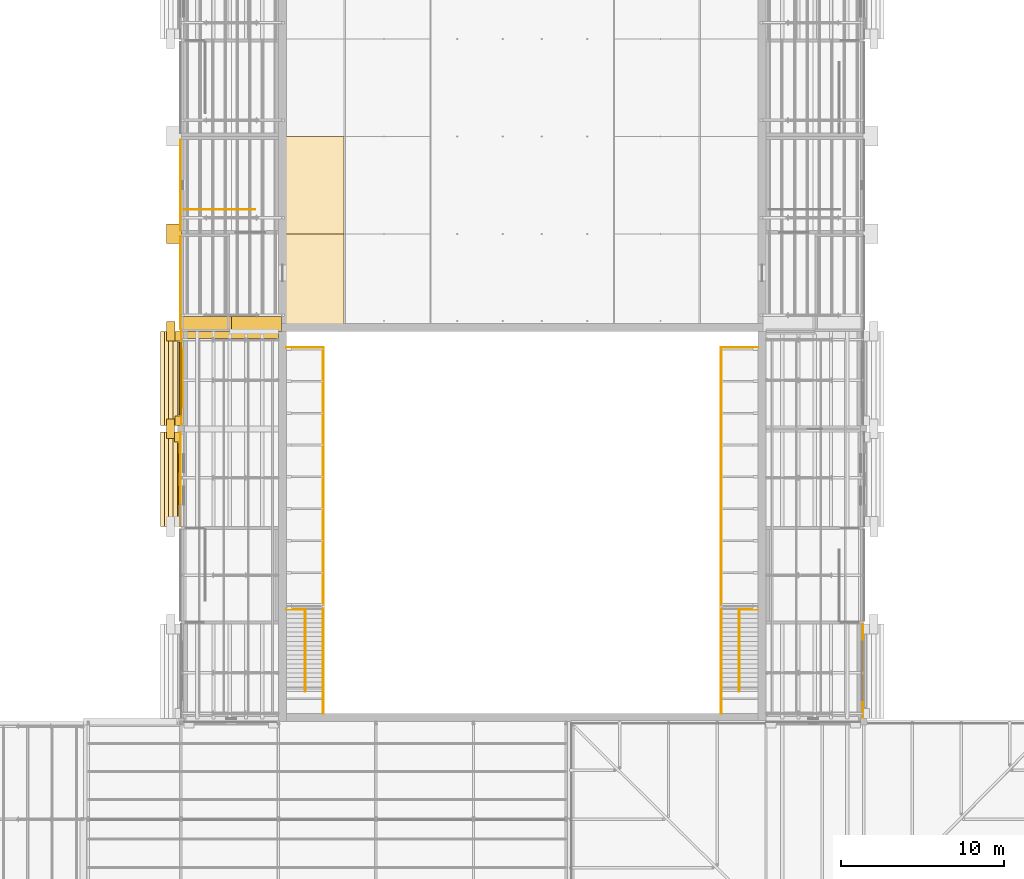
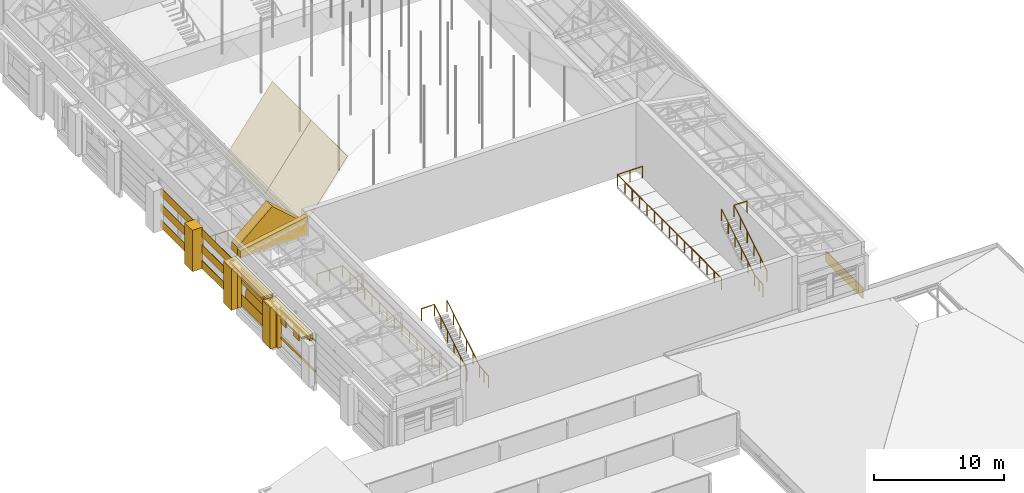
# One storey, part 108 of 118: 38 coverings, 7 railings.
"""IFC4 building model written with IfcOpenShell, lengths in metres."""

import ifcopenshell
import ifcopenshell.guid

model = None  # the IFC model being written
_history = None  # IfcOwnerHistory: only IFC2X3 demands one
_inside = {}  # id of a spatial element -> (the spatial element, [elements in it])
_under = {}  # id of a project, library or spatial element -> (it, [spatial elements below it])
_declared = {}  # id of a project -> (the project, [libraries it declares])
_typed = {}  # id of a type object -> (the type object, [elements of that type])
_made_of = {}  # id of a material, layer set ... -> (it, [elements and type objects made of it])


def new_model(schema):
    """Start an empty IFC model of exactly this schema.

    Asked for "IFC4X3", IfcOpenShell would pick the latest addendum, in which some entities
    have other attributes; the version numbers below select the first issue.
    IFC2X3 requires an IfcOwnerHistory on every rooted entity: one is made here for all.
    """
    global model, _history
    if schema == "IFC4X3":
        model = ifcopenshell.file(schema_version=(4, 3, 0, 0))
    else:
        model = ifcopenshell.file(schema=schema)
    _inside.clear()
    _under.clear()
    _declared.clear()
    _typed.clear()
    _made_of.clear()
    _history = None
    if model.schema == "IFC2X3":
        org = make("IfcOrganization", Name="unknown")
        user = make(
            "IfcPersonAndOrganization",
            ThePerson=make("IfcPerson", FamilyName="unknown"),
            TheOrganization=org,
        )
        app = make(
            "IfcApplication",
            ApplicationDeveloper=org,
            Version="unknown",
            ApplicationFullName="unknown",
            ApplicationIdentifier="unknown",
        )
        _history = make(
            "IfcOwnerHistory",
            OwningUser=user,
            OwningApplication=app,
            ChangeAction="ADDED",
            CreationDate=0,
        )
    return model


def make(cls, **values):
    """One entity of the class cls with the attributes given. An attribute that is None is left unset."""
    return model.create_entity(
        cls, **{name: value for name, value in values.items() if value is not None}
    )


def rooted(cls, **values):
    """An entity with a GlobalId (a new one), such as an element, a storey or a relation."""
    return make(cls, GlobalId=ifcopenshell.guid.new(), OwnerHistory=_history, **values)


def si_unit(unit_type, name, prefix=None):
    """IfcSIUnit, for example si_unit("LENGTHUNIT", "METRE", prefix="MILLI")."""
    return make("IfcSIUnit", UnitType=unit_type, Prefix=prefix, Name=name)


def assignment(units):
    """IfcUnitAssignment: the units of a project."""
    return None if units is None else make("IfcUnitAssignment", Units=units)


def point(xyz):
    """IfcCartesianPoint."""
    return None if xyz is None else make("IfcCartesianPoint", Coordinates=xyz)


def direction(xyz):
    """IfcDirection."""
    return None if xyz is None else make("IfcDirection", DirectionRatios=xyz)


def frame(location, z_axis=None, x_axis=None):
    """IfcAxis2Placement3D, a coordinate frame: its origin and axes. An axis left out is left unset."""
    return make(
        "IfcAxis2Placement3D",
        Location=point(location),
        Axis=direction(z_axis),
        RefDirection=direction(x_axis),
    )


def frame_2d(location, x_axis=None):
    """IfcAxis2Placement2D, a coordinate frame in the plane: its origin and x axis."""
    return make(
        "IfcAxis2Placement2D", Location=point(location), RefDirection=direction(x_axis)
    )


def origin():
    """The frame at (0, 0, 0) with its axes left unset."""
    return frame((0.0, 0.0, 0.0))


def origin_2d():
    """The frame at (0, 0) in the plane with its x axis left unset."""
    return frame_2d((0.0, 0.0))


def place(relative_to, where):
    """IfcLocalPlacement: puts the frame where relative to a parent placement (None: the world)."""
    return make(
        "IfcLocalPlacement", PlacementRelTo=relative_to, RelativePlacement=where
    )


def context(
    kind, dimensions, precision=None, world=None, true_north=None, identifier=None
):
    """IfcGeometricRepresentationContext, for example the 3D "Model" context."""
    return make(
        "IfcGeometricRepresentationContext",
        ContextIdentifier=identifier,
        ContextType=kind,
        CoordinateSpaceDimension=dimensions,
        Precision=precision,
        WorldCoordinateSystem=world,
        TrueNorth=true_north,
    )


def subcontext(parent, identifier, kind, view, scale=None):
    """IfcGeometricRepresentationSubContext, for example "Body" below "Model"."""
    return make(
        "IfcGeometricRepresentationSubContext",
        ContextIdentifier=identifier,
        ContextType=kind,
        ParentContext=parent,
        TargetScale=scale,
        TargetView=view,
    )


def project(units=None, contexts=None):
    """IfcProject with its units and contexts."""
    return rooted(
        "IfcProject",
        Name="project",
        RepresentationContexts=contexts,
        UnitsInContext=assignment(units),
    )


def spatial(cls, under=None, at=None, **own):
    """A site, building, storey or space (cls), placed at a placement, below another one or the project."""
    s = rooted(cls, ObjectPlacement=at, **own)
    if under is not None:
        _under.setdefault(under.id(), (under, []))[1].append(s)
    return s


def polyline(points):
    """IfcPolyline through the points."""
    return make("IfcPolyline", Points=[point(p) for p in points])


def profile(cls, at=None, kind="AREA", **sizes):
    """A parametric profile (cls). Its sizes go by their IFC names, for example OverallWidth=200.0."""
    return make(cls, ProfileType=kind, Position=at, **sizes)


def rectangle(**sizes):
    """IfcRectangleProfileDef."""
    return profile("IfcRectangleProfileDef", **sizes)


def circle(**sizes):
    """IfcCircleProfileDef."""
    return profile("IfcCircleProfileDef", **sizes)


def outline(outer, holes=None, kind="AREA"):
    """IfcArbitraryClosedProfileDef: a profile drawn as a closed curve; with holes, ...WithVoids."""
    if holes is None:
        return make("IfcArbitraryClosedProfileDef", ProfileType=kind, OuterCurve=outer)
    return make(
        "IfcArbitraryProfileDefWithVoids",
        ProfileType=kind,
        OuterCurve=outer,
        InnerCurves=holes,
    )


def extrude(swept, where, along, depth):
    """IfcExtrudedAreaSolid: the profile swept, set in the frame where, extruded along a direction by depth."""
    return make(
        "IfcExtrudedAreaSolid",
        SweptArea=swept,
        Position=where,
        ExtrudedDirection=direction(along),
        Depth=depth,
    )


def shape(context_of_items, identifier, shape_type, items):
    """IfcShapeRepresentation: the items that make up one representation, for example the "Body"."""
    return make(
        "IfcShapeRepresentation",
        ContextOfItems=context_of_items,
        RepresentationIdentifier=identifier,
        RepresentationType=shape_type,
        Items=items,
    )


def material(Name=None, Category=None):
    """IfcMaterial."""
    return make("IfcMaterial", Name=Name, Category=Category)


def layer(
    of_material, thickness, ventilated=None, Name=None, Category=None, Priority=None
):
    """IfcMaterialLayer: one layer of a wall or slab, of a material (None: an air gap)."""
    return make(
        "IfcMaterialLayer",
        Material=of_material,
        LayerThickness=thickness,
        IsVentilated=ventilated,
        Name=Name,
        Category=Category,
        Priority=Priority,
    )


def layer_set(layers, Name=None):
    """IfcMaterialLayerSet."""
    return make("IfcMaterialLayerSet", MaterialLayers=layers, LayerSetName=Name)


def made_of(thing, what):
    """Note that an element or type object is made of a material, layer set ...; save() writes the relation."""
    if what is not None:
        _made_of.setdefault(what.id(), (what, []))[1].append(thing)
    return thing


def type_object(cls, material=None, **own):
    """A type object (cls), such as IfcWallType, which elements share."""
    return made_of(rooted(cls, **own), material)


def element(
    cls,
    number,
    at=None,
    inside=None,
    cuts=None,
    type_object=None,
    material=None,
    context=None,
    identifier="Body",
    shape_type=None,
    held_by="IfcProductDefinitionShape",
    body=None,
    shapes=None,
    **own,
):
    """One element of the class cls, such as IfcWall. Its Tag is "e" and its number.

    at: its placement. inside: the storey or other place that contains it. cuts: it is an
    opening in that element (IfcRelVoidsElement). A single representation is given by context,
    identifier, shape_type and body (its items); several are given by shapes. held_by: the class
    of the entity that holds the representations. save() writes the other relations.
    """
    e = rooted(cls, Tag="e%d" % number, ObjectPlacement=at, **own)
    if body is not None:
        shapes = [shape(context, identifier, shape_type, body)]
    if shapes is not None:
        e.Representation = make(held_by, Representations=shapes)
    if inside is not None:
        _inside.setdefault(inside.id(), (inside, []))[1].append(e)
    if cuts is not None:
        rooted(
            "IfcRelVoidsElement", RelatingBuildingElement=cuts, RelatedOpeningElement=e
        )
    if type_object is not None:
        _typed.setdefault(type_object.id(), (type_object, []))[1].append(e)
    return made_of(e, material)


def aggregate(whole, parts):
    """IfcRelAggregates: a whole, such as a stair, and the parts it consists of."""
    return rooted("IfcRelAggregates", RelatingObject=whole, RelatedObjects=parts)


def save(model, path):
    """Write the relations noted so far, then the file.

    IfcRelAggregates (storeys below a building ...), IfcRelContainedInSpatialStructure (elements
    in a storey), IfcRelDefinesByType, IfcRelAssociatesMaterial and IfcRelDeclares: one each for
    every whole, place, type object, material and project.
    """
    for whole, parts in _under.values():
        aggregate(whole, parts)
    for where, things in _inside.values():
        rooted(
            "IfcRelContainedInSpatialStructure",
            RelatedElements=things,
            RelatingStructure=where,
        )
    for kind, things in _typed.values():
        rooted("IfcRelDefinesByType", RelatedObjects=things, RelatingType=kind)
    for what, things in _made_of.values():
        rooted("IfcRelAssociatesMaterial", RelatedObjects=things, RelatingMaterial=what)
    for by, libraries in _declared.values():
        rooted("IfcRelDeclares", RelatingContext=by, RelatedDefinitions=libraries)
    model.write(path)


model = new_model("IFC4")

# Units and contexts
model_context = context("Model", 3, precision=1e-05, world=origin(), true_north=direction((0.0, 1.0)))
body_context = subcontext(model_context, "Body", "Model", "MODEL_VIEW")
ifc_project = project(units=[si_unit("LENGTHUNIT", "METRE"), si_unit("AREAUNIT", "SQUARE_METRE"), si_unit("VOLUMEUNIT", "CUBIC_METRE"), si_unit("PLANEANGLEUNIT", "RADIAN"), si_unit("MASSUNIT", "GRAM", prefix="KILO")], contexts=[model_context])

# Site, building, storey
site_placement = place(None, origin())
site = spatial("IfcSite", under=ifc_project, at=site_placement, CompositionType="ELEMENT")
building_placement = place(site_placement, origin())
building = spatial("IfcBuilding", under=site, at=building_placement, Name="Saffron Lane Theatres", CompositionType="ELEMENT")
storey_placement = place(building_placement, frame((0.0, 0.0, 16.5)))
storey = spatial("IfcBuildingStorey", under=building, at=storey_placement, Name="L03", CompositionType="ELEMENT", Elevation=16.5)

# Coverings
ifc_material_1 = material(Name="Masonry pale clay brick", Category="masonry")
ifc_layer_1 = layer(ifc_material_1, 0.050048828125)
ifc_layer_set_1 = layer_set([ifc_layer_1], Name="Masonry pale clay brick")
covering_type_1 = type_object("IfcCoveringType", Name="EX-ARCH PANEL BRICK 50", PredefinedType="CLADDING", material=ifc_layer_set_1)
covering_1_placement = place(storey_placement, frame((12.10009765625, 49.300048828125, 1.199951171875), z_axis=(1.0, 0.0, 0.0), x_axis=(0.0, 0.0, -1.0)))
element("IfcCovering", 1, at=covering_1_placement, inside=storey, type_object=covering_type_1, Name="Blind arch panel 23", PredefinedType="CLADDING", context=body_context, shape_type="SweptSolid", body=[
    extrude(outline(polyline([(0.0, 0.0), (0.89990234375, 0.0), (0.89990234375, 3.599853515625), (0.0, 3.599853515625), (-0.30712890625, 3.578857421875), (-0.608154296875, 3.515869140625), (-0.89794921875, 3.412841796875), (-1.170166015625, 3.27099609375), (-1.421142578125, 3.093017578125), (-1.64501953125, 2.8818359375), (-1.839111328125, 2.64306640625), (-1.9970703125, 2.37890625), (-2.119140625, 2.096923828125), (-2.199951171875, 1.800048828125), (-2.119140625, 1.5029296875), (-1.9970703125, 1.220947265625), (-1.839111328125, 0.95703125), (-1.64501953125, 0.718017578125), (-1.421142578125, 0.5068359375), (-1.170166015625, 0.328857421875), (-0.89794921875, 0.18701171875), (-0.608154296875, 0.083984375), (-0.30712890625, 0.02099609375), (0.0, 0.0)])), origin(), (0.0, 0.0, -1.0), 0.050048828125),
])
ifc_material_2 = material(Name="Masonry sandstone", Category="masonry")
ifc_layer_2 = layer(ifc_material_2, 0.0400390625)
ifc_layer_set_2 = layer_set([ifc_layer_2], Name="Masonry sandstone")
covering_type_2 = type_object("IfcCoveringType", Name="EX-BANDING COURSE SANDSTONE 40", PredefinedType="CLADDING", material=ifc_layer_set_2)
for number, where, z_axis, x_axis, name in (
    (2, (11.97998046875, 63.0, 0.0), (0.0, 0.0, 1.0), (0.0, 1.0, 0.0), "Banding course L03"),
    (3, (11.97998046875, 63.0, 1.5), (0.0, 0.0, 1.0), (0.0, 1.0, 0.0), "Banding course L03"),
    (4, (11.97998046875, 63.0, 3.0), (0.0, 0.0, 1.0), (0.0, 1.0, 0.0), "Banding course L03"),
):
    element("IfcCovering", number, at=place(storey_placement, frame(where, z_axis=z_axis, x_axis=x_axis)), inside=storey, type_object=covering_type_2, Name=name, PredefinedType="CLADDING", context=body_context, shape_type="SweptSolid", body=[
        extrude(rectangle(XDim=5.60009765625, YDim=0.0400390625, at=origin_2d()), origin(), (0.0, 0.0, 1.0), 0.75),
    ])
for number, where, z_axis, x_axis, name in (
    (5, (11.97998046875, 57.0, 0.0), (0.0, 0.0, 1.0), (0.0, 1.0, 0.0), "Banding course L03"),
    (6, (11.97998046875, 57.0, 1.5), (0.0, 0.0, 1.0), (0.0, 1.0, 0.0), "Banding course L03"),
    (7, (11.97998046875, 57.0, 3.0), (0.0, 0.0, 1.0), (0.0, 1.0, 0.0), "Banding course L03"),
):
    element("IfcCovering", number, at=place(storey_placement, frame(where, z_axis=z_axis, x_axis=x_axis)), inside=storey, type_object=covering_type_2, Name=name, PredefinedType="CLADDING", context=body_context, shape_type="SweptSolid", body=[
        extrude(rectangle(XDim=5.699951171875, YDim=0.0400390625, at=origin_2d()), origin(), (0.0, 0.0, 1.0), 0.75),
    ])
ifc_material_3 = material(Name="Masonry sandstone", Category="masonry")
ifc_layer_3 = layer(ifc_material_3, 0.179931640625)
ifc_layer_set_3 = layer_set([ifc_layer_3], Name="Masonry sandstone")
covering_type_3 = type_object("IfcCoveringType", Name="EX-EAVES CORNICE SANDSTONE 180", PredefinedType="CLADDING", material=ifc_layer_set_3)
covering_2_placement = place(storey_placement, frame((11.889892578125, 44.89990234375, 3.7099609375), z_axis=(0.0, 0.0, 1.0), x_axis=(0.0, 1.0, 0.0)))
element("IfcCovering", 8, at=covering_2_placement, inside=storey, type_object=covering_type_3, Name="Eaves cornice L03", PredefinedType="CLADDING", context=body_context, shape_type="SweptSolid", body=[
    extrude(rectangle(XDim=4.5, YDim=0.219970703125, at=origin_2d()), origin(), (0.0, 0.0, 1.0), 0.1298828125),
])
covering_3_placement = place(storey_placement, frame((11.925048828125, 44.89990234375, 3.580078125), z_axis=(0.0, 0.0, 1.0), x_axis=(0.0, 1.0, 0.0)))
element("IfcCovering", 9, at=covering_3_placement, inside=storey, type_object=covering_type_3, Name="Eaves cornice L03", PredefinedType="CLADDING", context=body_context, shape_type="SweptSolid", body=[
    extrude(rectangle(XDim=4.5, YDim=0.14990234375, at=origin_2d()), origin(), (0.0, 0.0, 1.0), 0.1298828125),
])
covering_4_placement = place(storey_placement, frame((11.93994140625, 51.10009765625, 3.7099609375), z_axis=(0.0, 0.0, 1.0), x_axis=(0.0, 1.0, 0.0)))
element("IfcCovering", 10, at=covering_4_placement, inside=storey, type_object=covering_type_3, Name="Eaves cornice L03", PredefinedType="CLADDING", context=body_context, shape_type="SweptSolid", body=[
    extrude(rectangle(XDim=4.5, YDim=0.219970703125, at=origin_2d()), origin(), (0.0, 0.0, 1.0), 0.1298828125),
])
covering_5_placement = place(storey_placement, frame((11.97509765625, 51.10009765625, 3.580078125), z_axis=(0.0, 0.0, 1.0), x_axis=(0.0, 1.0, 0.0)))
element("IfcCovering", 11, at=covering_5_placement, inside=storey, type_object=covering_type_3, Name="Eaves cornice L03", PredefinedType="CLADDING", context=body_context, shape_type="SweptSolid", body=[
    extrude(rectangle(XDim=4.5, YDim=0.14990234375, at=origin_2d()), origin(), (0.0, 0.0, 1.0), 0.1298828125),
])
covering_6_placement = place(storey_placement, frame((12.010009765625, 51.10009765625, 3.449951171875), z_axis=(0.0, 0.0, 1.0), x_axis=(0.0, 1.0, 0.0)))
element("IfcCovering", 12, at=covering_6_placement, inside=storey, type_object=covering_type_3, Name="Eaves cornice L03", PredefinedType="CLADDING", context=body_context, shape_type="SweptSolid", body=[
    extrude(rectangle(XDim=4.5, YDim=0.080078125, at=origin_2d()), origin(), (0.0, 0.0, 1.0), 0.1298828125),
])
ifc_material_4 = material(Name="Masonry sandstone", Category="masonry")
ifc_layer_4 = layer(ifc_material_4, 0.1201171875)
ifc_layer_set_4 = layer_set([ifc_layer_4], Name="Masonry sandstone")
covering_type_4 = type_object("IfcCoveringType", Name="EX-EAVES STRING COURSE SANDSTONE 120", PredefinedType="CLADDING", material=ifc_layer_set_4)
covering_7_placement = place(storey_placement, frame((11.989990234375, 51.10009765625, 2.75), z_axis=(0.0, 0.0, 1.0), x_axis=(0.0, 1.0, 0.0)))
element("IfcCovering", 13, at=covering_7_placement, inside=storey, type_object=covering_type_4, Name="Eaves string course L03", PredefinedType="CLADDING", context=body_context, shape_type="SweptSolid", body=[
    extrude(rectangle(XDim=4.5, YDim=0.1201171875, at=origin_2d()), origin(), (0.0, 0.0, 1.0), 0.199951171875),
])
ifc_material_5 = material(Name="Face brick cladding, pale buff", Category="masonry")
ifc_layer_5 = layer(ifc_material_5, 0.0400390625)
ifc_layer_set_5 = layer_set([ifc_layer_5], Name="Face brick cladding, pale buff")
covering_type_5 = type_object("IfcCoveringType", Name="EX-FACE BRICK CLADDING PALE BUFF 40", PredefinedType="CLADDING", material=ifc_layer_set_5)
covering_8_placement = place(storey_placement, frame((53.969970703125, 33.10009765625, 0.14990234375), z_axis=(0.0, 0.0, 1.0), x_axis=(0.0, -1.0, 0.0)))
element("IfcCovering", 14, at=covering_8_placement, inside=storey, type_object=covering_type_5, Name="Cladding course L03", PredefinedType="CLADDING", context=body_context, shape_type="SweptSolid", body=[
    extrude(rectangle(XDim=5.800048828125, YDim=0.0400390625, at=origin_2d()), origin(), (0.0, 0.0, 1.0), 1.050048828125),
])
covering_9_placement = place(storey_placement, frame((11.97998046875, 44.89990234375, 2.25), z_axis=(0.0, 0.0, 1.0), x_axis=(0.0, 1.0, 0.0)))
element("IfcCovering", 15, at=covering_9_placement, inside=storey, type_object=covering_type_5, Name="Cladding course L03", PredefinedType="CLADDING", context=body_context, shape_type="SweptSolid", body=[
    extrude(rectangle(XDim=0.860107421875, YDim=0.0400390625, at=origin_2d()), origin(), (0.0, 0.0, 1.0), 1.050048828125),
])
covering_10_placement = place(storey_placement, frame((11.97998046875, 47.135009765625, 2.25), z_axis=(0.0, 0.0, 1.0), x_axis=(0.0, 1.0, 0.0)))
element("IfcCovering", 16, at=covering_10_placement, inside=storey, type_object=covering_type_5, Name="Cladding course L03", PredefinedType="CLADDING", context=body_context, shape_type="SweptSolid", body=[
    extrude(rectangle(XDim=1.330078125, YDim=0.0400390625, at=origin_2d()), origin(), (0.0, 0.0, 1.0), 1.050048828125),
])
for number, where, z_axis, x_axis, name in (
    (17, (12.030029296875, 51.10009765625, 0.14990234375), (0.0, 0.0, 1.0), (0.0, 1.0, 0.0), "Cladding course L03"),
    (18, (12.030029296875, 51.10009765625, 2.25), (0.0, 0.0, 1.0), (0.0, 1.0, 0.0), "Cladding course L03"),
):
    element("IfcCovering", number, at=place(storey_placement, frame(where, z_axis=z_axis, x_axis=x_axis)), inside=storey, type_object=covering_type_5, Name=name, PredefinedType="CLADDING", context=body_context, shape_type="SweptSolid", body=[
        extrude(rectangle(XDim=5.800048828125, YDim=0.0400390625, at=origin_2d()), origin(), (0.0, 0.0, 1.0), 1.050048828125),
    ])
ifc_material_6 = material(Name="Masonry sandstone", Category="masonry")
ifc_layer_6 = layer(ifc_material_6, 1.199951171875)
ifc_layer_set_6 = layer_set([ifc_layer_6], Name="Masonry sandstone")
covering_type_6 = type_object("IfcCoveringType", Name="EX-FLANK BUTTRESS PIER SANDSTONE 1200", PredefinedType="CLADDING", material=ifc_layer_set_6)
covering_11_placement = place(storey_placement, frame((11.35009765625, 48.0, 0.0), z_axis=(0.0, 0.0, 1.0), x_axis=(0.0, 1.0, 0.0)))
element("IfcCovering", 19, at=covering_11_placement, inside=storey, type_object=covering_type_6, Name="Flank buttress west L03", PredefinedType="CLADDING", context=body_context, shape_type="SweptSolid", body=[
    extrude(rectangle(XDim=1.199951171875, YDim=0.5, at=origin_2d()), origin(), (0.0, 0.0, 1.0), 3.89990234375),
])
covering_12_placement = place(storey_placement, frame((11.375, 54.0, 0.0), z_axis=(0.0, 0.0, 1.0), x_axis=(0.0, 1.0, 0.0)))
element("IfcCovering", 20, at=covering_12_placement, inside=storey, type_object=covering_type_6, Name="Flank buttress west L03", PredefinedType="CLADDING", context=body_context, shape_type="SweptSolid", body=[
    extrude(rectangle(XDim=1.199951171875, YDim=0.550048828125, at=origin_2d()), origin(), (0.0, 0.0, 1.0), 3.89990234375),
])
covering_13_placement = place(storey_placement, frame((11.574951171875, 60.0, 0.0), z_axis=(0.0, 0.0, 1.0), x_axis=(0.0, 1.0, 0.0)))
element("IfcCovering", 21, at=covering_13_placement, inside=storey, type_object=covering_type_6, Name="Flank buttress west L03", PredefinedType="CLADDING", context=body_context, shape_type="SweptSolid", body=[
    extrude(rectangle(XDim=1.199951171875, YDim=0.949951171875, at=origin_2d()), origin(), (0.0, 0.0, 1.0), 3.89990234375),
])
ifc_material_7 = material(Name="Masonry sandstone", Category="masonry")
ifc_layer_7 = layer(ifc_material_7, 1.050048828125)
ifc_layer_set_7 = layer_set([ifc_layer_7], Name="Masonry sandstone")
covering_type_7 = type_object("IfcCoveringType", Name="EX-FLANK CORNICE COURSE SANDSTONE 400", PredefinedType="CLADDING", material=ifc_layer_set_7)
covering_14_placement = place(storey_placement, frame((11.64990234375, 44.89990234375, 3.900146484375), z_axis=(0.0, 0.0, 1.0), x_axis=(0.0, 1.0, 0.0)))
element("IfcCovering", 22, at=covering_14_placement, inside=storey, type_object=covering_type_7, Name="Flank cornice course west 2", PredefinedType="CLADDING", context=body_context, shape_type="SweptSolid", body=[
    extrude(rectangle(XDim=5.800048828125, YDim=0.300048828125, at=origin_2d()), origin(), (0.0, 0.0, 1.0), 0.14990234375),
])
covering_15_placement = place(storey_placement, frame((11.52490234375, 44.89990234375, 4.050048828125), z_axis=(0.0, 0.0, 1.0), x_axis=(0.0, 1.0, 0.0)))
element("IfcCovering", 23, at=covering_15_placement, inside=storey, type_object=covering_type_7, Name="Flank cornice course west 2", PredefinedType="CLADDING", context=body_context, shape_type="SweptSolid", body=[
    extrude(rectangle(XDim=5.800048828125, YDim=0.550048828125, at=origin_2d()), origin(), (0.0, 0.0, 1.0), 0.14990234375),
])
covering_16_placement = place(storey_placement, frame((11.39990234375, 44.89990234375, 4.199951171875), z_axis=(0.0, 0.0, 1.0), x_axis=(0.0, 1.0, 0.0)))
element("IfcCovering", 24, at=covering_16_placement, inside=storey, type_object=covering_type_7, Name="Flank cornice course west 2", PredefinedType="CLADDING", context=body_context, shape_type="SweptSolid", body=[
    extrude(rectangle(XDim=5.800048828125, YDim=0.800048828125, at=origin_2d()), origin(), (0.0, 0.0, 1.0), 0.14990234375),
])
covering_17_placement = place(storey_placement, frame((11.27490234375, 44.89990234375, 4.35009765625), z_axis=(0.0, 0.0, 1.0), x_axis=(0.0, 1.0, 0.0)))
element("IfcCovering", 25, at=covering_17_placement, inside=storey, type_object=covering_type_7, Name="Flank cornice course west 2", PredefinedType="CLADDING", context=body_context, shape_type="SweptSolid", body=[
    extrude(rectangle(XDim=5.800048828125, YDim=1.050048828125, at=origin_2d()), origin(), (0.0, 0.0, 1.0), 0.14990234375),
])
covering_18_placement = place(storey_placement, frame((11.64990234375, 51.10009765625, 3.900146484375), z_axis=(0.0, 0.0, 1.0), x_axis=(0.0, 1.0, 0.0)))
element("IfcCovering", 26, at=covering_18_placement, inside=storey, type_object=covering_type_7, Name="Flank cornice course west 3", PredefinedType="CLADDING", context=body_context, shape_type="SweptSolid", body=[
    extrude(rectangle(XDim=5.800048828125, YDim=0.300048828125, at=origin_2d()), origin(), (0.0, 0.0, 1.0), 0.14990234375),
])
covering_19_placement = place(storey_placement, frame((11.52490234375, 51.10009765625, 4.050048828125), z_axis=(0.0, 0.0, 1.0), x_axis=(0.0, 1.0, 0.0)))
element("IfcCovering", 27, at=covering_19_placement, inside=storey, type_object=covering_type_7, Name="Flank cornice course west 3", PredefinedType="CLADDING", context=body_context, shape_type="SweptSolid", body=[
    extrude(rectangle(XDim=5.800048828125, YDim=0.550048828125, at=origin_2d()), origin(), (0.0, 0.0, 1.0), 0.14990234375),
])
covering_20_placement = place(storey_placement, frame((11.39990234375, 51.10009765625, 4.199951171875), z_axis=(0.0, 0.0, 1.0), x_axis=(0.0, 1.0, 0.0)))
element("IfcCovering", 28, at=covering_20_placement, inside=storey, type_object=covering_type_7, Name="Flank cornice course west 3", PredefinedType="CLADDING", context=body_context, shape_type="SweptSolid", body=[
    extrude(rectangle(XDim=5.800048828125, YDim=0.800048828125, at=origin_2d()), origin(), (0.0, 0.0, 1.0), 0.14990234375),
])
covering_21_placement = place(storey_placement, frame((11.27490234375, 51.10009765625, 4.35009765625), z_axis=(0.0, 0.0, 1.0), x_axis=(0.0, 1.0, 0.0)))
element("IfcCovering", 29, at=covering_21_placement, inside=storey, type_object=covering_type_7, Name="Flank cornice course west 3", PredefinedType="CLADDING", context=body_context, shape_type="SweptSolid", body=[
    extrude(rectangle(XDim=5.800048828125, YDim=1.050048828125, at=origin_2d()), origin(), (0.0, 0.0, 1.0), 0.14990234375),
])
ifc_material_8 = material(Name="Masonry sandstone", Category="masonry")
ifc_layer_8 = layer(ifc_material_8, 0.0400390625)
ifc_layer_set_8 = layer_set([ifc_layer_8], Name="Masonry sandstone")
covering_type_8 = type_object("IfcCoveringType", Name="EX-HEAD COURSE SANDSTONE 150", PredefinedType="CLADDING", material=ifc_layer_set_8)
covering_22_placement = place(storey_placement, frame((11.97998046875, 44.89990234375, 3.699951171875), z_axis=(0.0, 0.0, 1.0), x_axis=(0.0, 1.0, 0.0)))
element("IfcCovering", 30, at=covering_22_placement, inside=storey, type_object=covering_type_8, Name="Facade head course L03", PredefinedType="CLADDING", context=body_context, shape_type="SweptSolid", body=[
    extrude(rectangle(XDim=5.800048828125, YDim=0.0400390625, at=origin_2d()), origin(), (0.0, 0.0, 1.0), 0.14990234375),
])
ifc_material_9 = material(Name="Masonry sandstone", Category="masonry")
ifc_layer_9 = layer(ifc_material_9, 0.39990234375)
ifc_layer_set_9 = layer_set([ifc_layer_9], Name="Masonry sandstone")
covering_type_9 = type_object("IfcCoveringType", Name="EX-PILASTER PIER SANDSTONE 400", PredefinedType="CLADDING", material=ifc_layer_set_9)
for number, where, z_axis, x_axis, name in (
    (31, (11.800048828125, 47.5, 0.0), (0.0, 0.0, 1.0), (0.0, 1.0, 0.0), "Pilaster pier L03"),
    (32, (11.85009765625, 48.5, 0.0), (0.0, 0.0, 1.0), (0.0, 1.0, 0.0), "Pilaster pier L03"),
    (33, (11.85009765625, 53.699951171875, 0.0), (0.0, 0.0, 1.0), (0.0, 1.0, 0.0), "Pilaster pier L03"),
):
    element("IfcCovering", number, at=place(storey_placement, frame(where, z_axis=z_axis, x_axis=x_axis)), inside=storey, type_object=covering_type_9, Name=name, PredefinedType="CLADDING", context=body_context, shape_type="SweptSolid", body=[
        extrude(rectangle(XDim=0.60009765625, YDim=0.39990234375, at=origin_2d()), origin(), (0.0, 0.0, 1.0), 3.89990234375),
    ])
ifc_material_10 = material(Name="Masonry sandstone", Category="masonry")
ifc_layer_10 = layer(ifc_material_10, 0.0400390625)
ifc_layer_set_10 = layer_set([ifc_layer_10], Name="Masonry sandstone")
covering_type_10 = type_object("IfcCoveringType", Name="EX-SILL COURSE SANDSTONE 250", PredefinedType="CLADDING", material=ifc_layer_set_10)
covering_23_placement = place(storey_placement, frame((11.97998046875, 44.89990234375, 0.75), z_axis=(0.0, 0.0, 1.0), x_axis=(0.0, 1.0, 0.0)))
element("IfcCovering", 34, at=covering_23_placement, inside=storey, type_object=covering_type_10, Name="Facade sill course L03", PredefinedType="CLADDING", context=body_context, shape_type="SweptSolid", body=[
    extrude(rectangle(XDim=5.800048828125, YDim=0.0400390625, at=origin_2d()), origin(), (0.0, 0.0, 1.0), 0.25),
])
ifc_material_11 = material(Name="Zinc standing seam roofing", Category="metal")
ifc_layer_11 = layer(ifc_material_11, 0.199951171875)
ifc_layer_set_11 = layer_set([ifc_layer_11], Name="Zinc standing seam roofing")
covering_type_11 = type_object("IfcCoveringType", Name="ST-GABLE END CLADDING", PredefinedType="CLADDING", material=ifc_layer_set_11)
covering_24_placement = place(storey_placement, frame((12.0, 54.0, 4.5), z_axis=(0.0, -1.0, 0.0), x_axis=(1.0, 0.0, 0.0)))
element("IfcCovering", 35, at=covering_24_placement, inside=storey, type_object=covering_type_11, Name="SB1-G1", PredefinedType="CLADDING", context=body_context, shape_type="SweptSolid", body=[
    extrude(outline(polyline([(0.0, 0.0), (6.199951171875, 0.0), (6.199951171875, 0.791259765625), (3.10009765625, 3.53955078125), (0.0, 0.791259765625), (0.0, 0.0)])), origin(), (0.0, 0.0, -1.0), 0.925048828125),
])
covering_25_placement = place(storey_placement, frame((12.0, 54.0, 5.16259765625), z_axis=(0.0, 1.0, 0.0), x_axis=(0.981665249086, 0.0, 0.190613060247)))
element("IfcCovering", 36, at=covering_25_placement, inside=storey, type_object=covering_type_11, Name="SB3-G2", PredefinedType="CLADDING", context=body_context, shape_type="SweptSolid", body=[
    extrude(outline(polyline([(0.0, 0.0), (6.112063155527017, 0.0), (5.763691727545678, 1.7941274547505004), (-0.12629976697052556, 0.6504490932664785), (0.0, 0.0)])), origin(), (0.0, 0.0, -1.0), 0.425048828125),
])
ifc_material_12 = material(Name="Zinc standing seam roofing", Category="metal")
ifc_layer_12 = layer(ifc_material_12, 0.02001953125)
ifc_layer_set_12 = layer_set([ifc_layer_12], Name="Zinc standing seam roofing")
covering_type_12 = type_object("IfcCoveringType", Name="ST-ZINC ROOFING", PredefinedType="ROOFING", material=ifc_layer_set_12)
covering_26_placement = place(storey_placement, frame((17.92236328125, 54.375, 4.6015625), z_axis=(-0.802182935836, 0.0, 0.597078334437), x_axis=(0.597078334437, 0.0, 0.802182935836)))
element("IfcCovering", 37, at=covering_26_placement, inside=storey, type_object=covering_type_12, Name="VZ1A", PredefinedType="ROOFING", context=body_context, shape_type="SweptSolid", body=[
    extrude(outline(polyline([(0.0, 0.0), (6.868160912241676, 0.0), (6.868160912241676, 5.624999999999999), (0.0, 5.624999999999999), (0.0, 0.0)])), origin(), (0.0, 0.0, -1.0), 0.02001953125),
])
covering_27_placement = place(storey_placement, frame((17.92236328125, 60.0, 4.6015625), z_axis=(-0.802182935836, 0.0, 0.597078334437), x_axis=(0.597078334437, 0.0, 0.802182935836)))
element("IfcCovering", 38, at=covering_27_placement, inside=storey, type_object=covering_type_12, Name="VZ2A", PredefinedType="ROOFING", context=body_context, shape_type="SweptSolid", body=[
    extrude(outline(polyline([(0.0, 0.0), (6.868160912241676, 0.0), (6.868160912241676, 6.0), (0.0, 6.0), (0.0, 0.0)])), origin(), (0.0, 0.0, -1.0), 0.02001953125),
])

# Railings
ifc_material_13 = material(Name="Steel Grade 350", Category="steel")
railing_type = type_object("IfcRailingType", Name="VC-GUARD 1100", PredefinedType="GUARDRAIL", material=ifc_material_13)
railing_1_placement = place(storey_placement, frame((12.199951171875, 61.5, 0.0)))
element("IfcRailing", 39, at=railing_1_placement, inside=storey, type_object=railing_type, Name="Auditorium West Front Stair guard L03", PredefinedType="GUARDRAIL", context=body_context, shape_type="SweptSolid", body=[
    extrude(circle(Radius=0.02392578125, at=origin_2d()), frame((0.0, 0.0, 1.076171875), z_axis=(1.0, 0.0, 0.0), x_axis=(0.0, 1.0, 0.0)), (0.0, 0.0, 1.0), 4.35009765625),
    extrude(circle(Radius=0.02099609375, at=origin_2d()), origin(), (0.0, 0.0, 1.0), 1.052001953125),
    extrude(circle(Radius=0.02099609375, at=origin_2d()), frame((1.08740234375, 0.0, 0.0)), (0.0, 0.0, 1.0), 1.052001953125),
    extrude(circle(Radius=0.02099609375, at=origin_2d()), frame((2.175048828125, 0.0, 0.0)), (0.0, 0.0, 1.0), 1.052001953125),
    extrude(circle(Radius=0.02099609375, at=origin_2d()), frame((3.2626953125, 0.0, 0.0)), (0.0, 0.0, 1.0), 1.052001953125),
    extrude(circle(Radius=0.02099609375, at=origin_2d()), frame((4.35009765625, 0.0, 0.0)), (0.0, 0.0, 1.0), 1.052001953125),
])
railing_2_placement = place(storey_placement, frame((20.760009765625, 36.89990234375, 0.0)))
element("IfcRailing", 40, at=railing_2_placement, inside=storey, Name="FRW16.5", PredefinedType="GUARDRAIL", context=body_context, shape_type="SweptSolid", body=[
    extrude(circle(Radius=0.02392578125, at=origin_2d()), frame((0.0, 0.0, 1.076171875), z_axis=(0.0, 1.0, 0.0), x_axis=(-1.0, 0.0, 0.0)), (0.0, 0.0, 1.0), 16.10009765625),
    extrude(circle(Radius=0.02392578125, at=origin_2d()), frame((0.0, 16.10009765625, 1.076171875), z_axis=(-1.0, 0.0, 0.0), x_axis=(0.0, -1.0, 0.0)), (0.0, 0.0, 1.0), 2.260009765625),
    extrude(circle(Radius=0.02099609375, at=origin_2d()), origin(), (0.0, 0.0, 1.0), 1.052001953125),
    extrude(circle(Radius=0.02099609375, at=origin_2d()), frame((0.0, 1.14990234375, 0.0)), (0.0, 0.0, 1.0), 1.052001953125),
    extrude(circle(Radius=0.02099609375, at=origin_2d()), frame((0.0, 2.300048828125, 0.0)), (0.0, 0.0, 1.0), 1.052001953125),
    extrude(circle(Radius=0.02099609375, at=origin_2d()), frame((0.0, 3.449951171875, 0.0)), (0.0, 0.0, 1.0), 1.052001953125),
    extrude(circle(Radius=0.02099609375, at=origin_2d()), frame((0.0, 4.60009765625, 0.0)), (0.0, 0.0, 1.0), 1.052001953125),
    extrude(circle(Radius=0.02099609375, at=origin_2d()), frame((0.0, 5.75, 0.0)), (0.0, 0.0, 1.0), 1.052001953125),
    extrude(circle(Radius=0.02099609375, at=origin_2d()), frame((0.0, 6.900146484375, 0.0)), (0.0, 0.0, 1.0), 1.052001953125),
    extrude(circle(Radius=0.02099609375, at=origin_2d()), frame((0.0, 8.050048828125, 0.0)), (0.0, 0.0, 1.0), 1.052001953125),
    extrude(circle(Radius=0.02099609375, at=origin_2d()), frame((0.0, 9.199951171875, 0.0)), (0.0, 0.0, 1.0), 1.052001953125),
    extrude(circle(Radius=0.02099609375, at=origin_2d()), frame((0.0, 10.35009765625, 0.0)), (0.0, 0.0, 1.0), 1.052001953125),
    extrude(circle(Radius=0.02099609375, at=origin_2d()), frame((0.0, 11.5, 0.0)), (0.0, 0.0, 1.0), 1.052001953125),
    extrude(circle(Radius=0.02099609375, at=origin_2d()), frame((0.0, 12.650146484375, 0.0)), (0.0, 0.0, 1.0), 1.052001953125),
    extrude(circle(Radius=0.02099609375, at=origin_2d()), frame((0.0, 13.800048828125, 0.0)), (0.0, 0.0, 1.0), 1.052001953125),
    extrude(circle(Radius=0.02099609375, at=origin_2d()), frame((0.0, 14.9501953125, 0.0)), (0.0, 0.0, 1.0), 1.052001953125),
    extrude(circle(Radius=0.02099609375, at=origin_2d()), frame((0.0, 16.10009765625, 0.0)), (0.0, 0.0, 1.0), 1.052001953125),
    extrude(circle(Radius=0.02099609375, at=origin_2d()), frame((-1.1298828125, 16.10009765625, 0.0)), (0.0, 0.0, 1.0), 1.052001953125),
    extrude(circle(Radius=0.02099609375, at=origin_2d()), frame((-2.260009765625, 16.10009765625, 0.0)), (0.0, 0.0, 1.0), 1.052001953125),
])
railing_3_placement = place(storey_placement, frame((18.5, 36.89990234375, 6.5)))
element("IfcRailing", 41, at=railing_3_placement, inside=storey, Name="FWW16.5", PredefinedType="GUARDRAIL", context=body_context, shape_type="SweptSolid", body=[
    extrude(circle(Radius=0.02392578125, at=origin_2d()), frame((0.0, 0.0, 1.076171875), z_axis=(1.0, 0.0, 0.0), x_axis=(0.0, 1.0, 0.0)), (0.0, 0.0, 1.0), 1.14990234375),
    extrude(circle(Radius=0.02392578125, at=origin_2d()), frame((1.14990234375, 0.0, 1.076171875), z_axis=(0.0, -0.853358463929, -0.521324593742), x_axis=(1.0, 0.0, 0.0)), (0.0, 0.0, 1.0), 5.90576171875),
    extrude(circle(Radius=0.02099609375, at=origin_2d()), origin(), (0.0, 0.0, 1.0), 1.052001953125),
    extrude(circle(Radius=0.02099609375, at=origin_2d()), frame((1.14990234375, 0.0, 0.0)), (0.0, 0.0, 1.0), 1.052001953125),
    extrude(circle(Radius=0.02099609375, at=origin_2d()), frame((1.14990234375, -1.008056640625, -0.61572265625)), (0.0, 0.0, 1.0), 1.052001953125),
    extrude(circle(Radius=0.02099609375, at=origin_2d()), frame((1.14990234375, -2.015869140625, -1.2314453125)), (0.0, 0.0, 1.0), 1.052001953125),
    extrude(circle(Radius=0.02099609375, at=origin_2d()), frame((1.14990234375, -3.02392578125, -1.847412109375)), (0.0, 0.0, 1.0), 1.052001953125),
    extrude(circle(Radius=0.02099609375, at=origin_2d()), frame((1.14990234375, -4.03173828125, -2.463134765625)), (0.0, 0.0, 1.0), 1.052001953125),
    extrude(circle(Radius=0.02099609375, at=origin_2d()), frame((1.14990234375, -5.039794921875, -3.078857421875)), (0.0, 0.0, 1.0), 1.052001953125),
])
railing_4_placement = place(storey_placement, frame((20.760009765625, 30.5, 3.25)))
element("IfcRailing", 42, at=railing_4_placement, inside=storey, Name="FHW16.5", PredefinedType="HANDRAIL", context=body_context, shape_type="SweptSolid", body=[
    extrude(circle(Radius=0.02392578125, at=origin_2d()), frame((0.0, 0.0, 1.076171875), z_axis=(0.0, 0.992176167208, 0.124845717683), x_axis=(-1.0, 0.0, 0.0)), (0.0, 0.0, 1.0), 1.370849609375),
    extrude(circle(Radius=0.02392578125, at=origin_2d()), frame((0.0, 1.360107421875, 1.2470703125), z_axis=(0.0, 0.853358463929, 0.521324593742), x_axis=(-1.0, 0.0, 0.0)), (0.0, 0.0, 1.0), 5.90576171875),
    extrude(circle(Radius=0.02099609375, at=origin_2d()), origin(), (0.0, 0.0, 1.0), 1.052001953125),
    extrude(circle(Radius=0.02099609375, at=origin_2d()), frame((0.0, 0.68017578125, 0.08544921875)), (0.0, 0.0, 1.0), 1.052001953125),
    extrude(circle(Radius=0.02099609375, at=origin_2d()), frame((0.0, 1.360107421875, 0.171142578125)), (0.0, 0.0, 1.0), 1.052001953125),
    extrude(circle(Radius=0.02099609375, at=origin_2d()), frame((0.0, 2.3681640625, 0.786865234375)), (0.0, 0.0, 1.0), 1.052001953125),
    extrude(circle(Radius=0.02099609375, at=origin_2d()), frame((0.0, 3.3759765625, 1.402587890625)), (0.0, 0.0, 1.0), 1.052001953125),
    extrude(circle(Radius=0.02099609375, at=origin_2d()), frame((0.0, 4.384033203125, 2.0185546875)), (0.0, 0.0, 1.0), 1.052001953125),
    extrude(circle(Radius=0.02099609375, at=origin_2d()), frame((0.0, 5.391845703125, 2.63427734375)), (0.0, 0.0, 1.0), 1.052001953125),
    extrude(circle(Radius=0.02099609375, at=origin_2d()), frame((0.0, 6.39990234375, 3.25)), (0.0, 0.0, 1.0), 1.052001953125),
])
railing_5_placement = place(storey_placement, frame((45.239990234375, 36.89990234375, 0.0)))
element("IfcRailing", 43, at=railing_5_placement, inside=storey, Name="FRE16.5", PredefinedType="GUARDRAIL", context=body_context, shape_type="SweptSolid", body=[
    extrude(circle(Radius=0.02392578125, at=origin_2d()), frame((0.0, 0.0, 1.076171875), z_axis=(0.0, 1.0, 0.0), x_axis=(-1.0, 0.0, 0.0)), (0.0, 0.0, 1.0), 16.10009765625),
    extrude(circle(Radius=0.02392578125, at=origin_2d()), frame((0.0, 16.10009765625, 1.076171875), z_axis=(1.0, 0.0, 0.0), x_axis=(0.0, 1.0, 0.0)), (0.0, 0.0, 1.0), 2.260009765625),
    extrude(circle(Radius=0.02099609375, at=origin_2d()), origin(), (0.0, 0.0, 1.0), 1.052001953125),
    extrude(circle(Radius=0.02099609375, at=origin_2d()), frame((0.0, 1.14990234375, 0.0)), (0.0, 0.0, 1.0), 1.052001953125),
    extrude(circle(Radius=0.02099609375, at=origin_2d()), frame((0.0, 2.300048828125, 0.0)), (0.0, 0.0, 1.0), 1.052001953125),
    extrude(circle(Radius=0.02099609375, at=origin_2d()), frame((0.0, 3.449951171875, 0.0)), (0.0, 0.0, 1.0), 1.052001953125),
    extrude(circle(Radius=0.02099609375, at=origin_2d()), frame((0.0, 4.60009765625, 0.0)), (0.0, 0.0, 1.0), 1.052001953125),
    extrude(circle(Radius=0.02099609375, at=origin_2d()), frame((0.0, 5.75, 0.0)), (0.0, 0.0, 1.0), 1.052001953125),
    extrude(circle(Radius=0.02099609375, at=origin_2d()), frame((0.0, 6.900146484375, 0.0)), (0.0, 0.0, 1.0), 1.052001953125),
    extrude(circle(Radius=0.02099609375, at=origin_2d()), frame((0.0, 8.050048828125, 0.0)), (0.0, 0.0, 1.0), 1.052001953125),
    extrude(circle(Radius=0.02099609375, at=origin_2d()), frame((0.0, 9.199951171875, 0.0)), (0.0, 0.0, 1.0), 1.052001953125),
    extrude(circle(Radius=0.02099609375, at=origin_2d()), frame((0.0, 10.35009765625, 0.0)), (0.0, 0.0, 1.0), 1.052001953125),
    extrude(circle(Radius=0.02099609375, at=origin_2d()), frame((0.0, 11.5, 0.0)), (0.0, 0.0, 1.0), 1.052001953125),
    extrude(circle(Radius=0.02099609375, at=origin_2d()), frame((0.0, 12.650146484375, 0.0)), (0.0, 0.0, 1.0), 1.052001953125),
    extrude(circle(Radius=0.02099609375, at=origin_2d()), frame((0.0, 13.800048828125, 0.0)), (0.0, 0.0, 1.0), 1.052001953125),
    extrude(circle(Radius=0.02099609375, at=origin_2d()), frame((0.0, 14.9501953125, 0.0)), (0.0, 0.0, 1.0), 1.052001953125),
    extrude(circle(Radius=0.02099609375, at=origin_2d()), frame((0.0, 16.10009765625, 0.0)), (0.0, 0.0, 1.0), 1.052001953125),
    extrude(circle(Radius=0.02099609375, at=origin_2d()), frame((1.1298828125, 16.10009765625, 0.0)), (0.0, 0.0, 1.0), 1.052001953125),
    extrude(circle(Radius=0.02099609375, at=origin_2d()), frame((2.260009765625, 16.10009765625, 0.0)), (0.0, 0.0, 1.0), 1.052001953125),
])
railing_6_placement = place(storey_placement, frame((47.5, 36.89990234375, 6.5)))
element("IfcRailing", 44, at=railing_6_placement, inside=storey, Name="FWE16.5", PredefinedType="GUARDRAIL", context=body_context, shape_type="SweptSolid", body=[
    extrude(circle(Radius=0.02392578125, at=origin_2d()), frame((0.0, 0.0, 1.076171875), z_axis=(-1.0, 0.0, 0.0), x_axis=(0.0, -1.0, 0.0)), (0.0, 0.0, 1.0), 1.14990234375),
    extrude(circle(Radius=0.02392578125, at=origin_2d()), frame((-1.14990234375, 0.0, 1.076171875), z_axis=(0.0, -0.853358463929, -0.521324593742), x_axis=(1.0, 0.0, 0.0)), (0.0, 0.0, 1.0), 5.90576171875),
    extrude(circle(Radius=0.02099609375, at=origin_2d()), origin(), (0.0, 0.0, 1.0), 1.052001953125),
    extrude(circle(Radius=0.02099609375, at=origin_2d()), frame((-1.14990234375, 0.0, 0.0)), (0.0, 0.0, 1.0), 1.052001953125),
    extrude(circle(Radius=0.02099609375, at=origin_2d()), frame((-1.14990234375, -1.008056640625, -0.61572265625)), (0.0, 0.0, 1.0), 1.052001953125),
    extrude(circle(Radius=0.02099609375, at=origin_2d()), frame((-1.14990234375, -2.015869140625, -1.2314453125)), (0.0, 0.0, 1.0), 1.052001953125),
    extrude(circle(Radius=0.02099609375, at=origin_2d()), frame((-1.14990234375, -3.02392578125, -1.847412109375)), (0.0, 0.0, 1.0), 1.052001953125),
    extrude(circle(Radius=0.02099609375, at=origin_2d()), frame((-1.14990234375, -4.03173828125, -2.463134765625)), (0.0, 0.0, 1.0), 1.052001953125),
    extrude(circle(Radius=0.02099609375, at=origin_2d()), frame((-1.14990234375, -5.039794921875, -3.078857421875)), (0.0, 0.0, 1.0), 1.052001953125),
])
railing_7_placement = place(storey_placement, frame((45.239990234375, 30.5, 3.25)))
element("IfcRailing", 45, at=railing_7_placement, inside=storey, Name="FHE16.5", PredefinedType="HANDRAIL", context=body_context, shape_type="SweptSolid", body=[
    extrude(circle(Radius=0.02392578125, at=origin_2d()), frame((0.0, 0.0, 1.076171875), z_axis=(0.0, 0.992176167208, 0.124845717683), x_axis=(-1.0, 0.0, 0.0)), (0.0, 0.0, 1.0), 1.370849609375),
    extrude(circle(Radius=0.02392578125, at=origin_2d()), frame((0.0, 1.360107421875, 1.2470703125), z_axis=(0.0, 0.853358463929, 0.521324593742), x_axis=(-1.0, 0.0, 0.0)), (0.0, 0.0, 1.0), 5.90576171875),
    extrude(circle(Radius=0.02099609375, at=origin_2d()), origin(), (0.0, 0.0, 1.0), 1.052001953125),
    extrude(circle(Radius=0.02099609375, at=origin_2d()), frame((0.0, 0.68017578125, 0.08544921875)), (0.0, 0.0, 1.0), 1.052001953125),
    extrude(circle(Radius=0.02099609375, at=origin_2d()), frame((0.0, 1.360107421875, 0.171142578125)), (0.0, 0.0, 1.0), 1.052001953125),
    extrude(circle(Radius=0.02099609375, at=origin_2d()), frame((0.0, 2.3681640625, 0.786865234375)), (0.0, 0.0, 1.0), 1.052001953125),
    extrude(circle(Radius=0.02099609375, at=origin_2d()), frame((0.0, 3.3759765625, 1.402587890625)), (0.0, 0.0, 1.0), 1.052001953125),
    extrude(circle(Radius=0.02099609375, at=origin_2d()), frame((0.0, 4.384033203125, 2.0185546875)), (0.0, 0.0, 1.0), 1.052001953125),
    extrude(circle(Radius=0.02099609375, at=origin_2d()), frame((0.0, 5.391845703125, 2.63427734375)), (0.0, 0.0, 1.0), 1.052001953125),
    extrude(circle(Radius=0.02099609375, at=origin_2d()), frame((0.0, 6.39990234375, 3.25)), (0.0, 0.0, 1.0), 1.052001953125),
])

save(model, "model.ifc")
